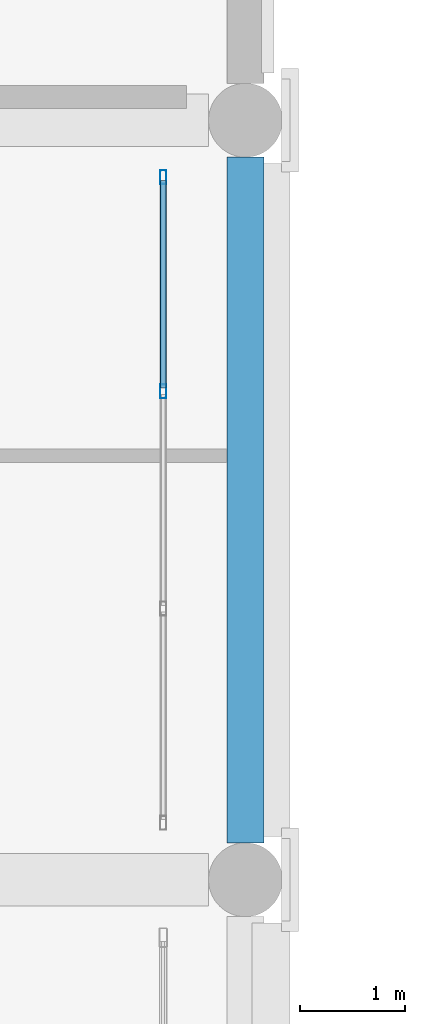
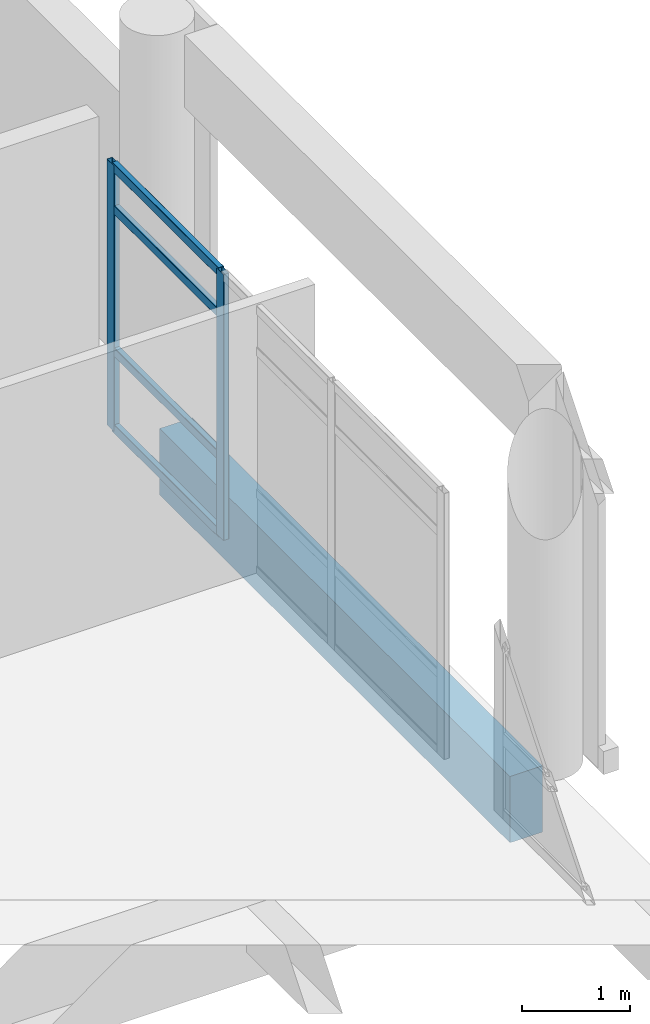
# One storey, part 31 of 180: 6 members, 1 beam, 1 element without a shape of its own.
"""IFC4 building model written with IfcOpenShell, lengths in metres."""

from ifc_helpers import new_model, si_unit, direction, frame, origin, origin_2d, place, context, subcontext, project, spatial, rectangle, hollow_rectangle, extrude, material, layer, layer_set, material_profile, profile_set, type_object, element, aggregate, save


model = new_model("IFC4")

# Units and contexts
model_context = context("Model", 3, precision=1e-05, world=origin(), true_north=direction((0.0, 1.0)))
body_context = subcontext(model_context, "Body", "Model", "MODEL_VIEW")
ifc_project = project(units=[si_unit("LENGTHUNIT", "METRE"), si_unit("AREAUNIT", "SQUARE_METRE"), si_unit("VOLUMEUNIT", "CUBIC_METRE"), si_unit("PLANEANGLEUNIT", "RADIAN"), si_unit("MASSUNIT", "GRAM", prefix="KILO")], contexts=[model_context])

# Site, building, storey
site_placement = place(None, origin())
site = spatial("IfcSite", under=ifc_project, at=site_placement, CompositionType="ELEMENT")
building_placement = place(site_placement, origin())
building = spatial("IfcBuilding", under=site, at=building_placement, Name="Asteropetra Specialist Clinic", CompositionType="ELEMENT")
storey_placement = place(building_placement, frame((0.0, 0.0, 4.419921875)))
storey = spatial("IfcBuildingStorey", under=building, at=storey_placement, Name="L01", CompositionType="ELEMENT", Elevation=4.419921875)

# Curtain wall, members
ifc_material_1 = material(Name="Aluminium and low-E glass", Category="aluminium")
ifc_layer = layer(ifc_material_1, 0.179931640625)
ifc_layer_set = layer_set([ifc_layer], Name="Aluminium and low-E glass")
curtain_wall_type = type_object("IfcCurtainWallType", Name="CW-SYS-10", PredefinedType="USERDEFINED", material=ifc_layer_set)
curtain_wall_placement = place(storey_placement, origin())
curtain_wall = element("IfcCurtainWall", 1, at=curtain_wall_placement, inside=storey, type_object=curtain_wall_type, Name="Curtain Wall CW-146", ObjectType="STICK GLAZED COLONNADE", PredefinedType="USERDEFINED")
ifc_material_2 = material(Name="Aluminium 6063-T6", Category="aluminium")
ifc_material_profile_1 = material_profile(ifc_material_2, hollow_rectangle(XDim=0.06005859375, YDim=0.135009765625, WallThickness=0.00341796875, InnerFilletRadius=0.00341796875, OuterFilletRadius=0.007080078125, at=origin_2d()), Name="MUL 135x60x3.5")
ifc_profile_set_1 = profile_set([ifc_material_profile_1], Name="Aluminium 6063-T6")
member_type_1 = type_object("IfcMemberType", Name="CWM-135x60", PredefinedType="MULLION", material=ifc_profile_set_1)
member_1_placement = place(storey_placement, frame((56.820068359375, 16.6298828125, 0.0), z_axis=(0.0, 0.0, 1.0), x_axis=(-1.0, 0.0, 0.0)))
member_1 = element("IfcMember", 2, at=member_1_placement, type_object=member_type_1, Name="CW-146 mullion 3", PredefinedType="MULLION", context=body_context, shape_type="SweptSolid", body=[
    extrude(hollow_rectangle(XDim=0.06005859375, YDim=0.135009765625, WallThickness=0.00341796875, InnerFilletRadius=0.00341796875, OuterFilletRadius=0.007080078125, at=origin_2d()), origin(), (0.0, 0.0, 1.0), 3.010009765625),
])
member_2_placement = place(storey_placement, frame((56.820068359375, 18.659912109375, 0.0), z_axis=(0.0, 0.0, 1.0), x_axis=(-1.0, 0.0, 0.0)))
member_2 = element("IfcMember", 3, at=member_2_placement, type_object=member_type_1, Name="CW-146 mullion 4", PredefinedType="MULLION", context=body_context, shape_type="SweptSolid", body=[
    extrude(hollow_rectangle(XDim=0.06005859375, YDim=0.135009765625, WallThickness=0.00341796875, InnerFilletRadius=0.00341796875, OuterFilletRadius=0.007080078125, at=origin_2d()), origin(), (0.0, 0.0, 1.0), 3.010009765625),
])
ifc_material_3 = material(Name="Aluminium 6063-T6", Category="aluminium")
ifc_material_profile_2 = material_profile(ifc_material_3, hollow_rectangle(XDim=0.06005859375, YDim=0.10009765625, WallThickness=0.00341796875, InnerFilletRadius=0.00341796875, OuterFilletRadius=0.007080078125, at=origin_2d()), Name="TRN 100x60x3.5")
ifc_profile_set_2 = profile_set([ifc_material_profile_2], Name="Aluminium 6063-T6")
member_type_2 = type_object("IfcMemberType", Name="CWT-100x60", PredefinedType="USERDEFINED", material=ifc_profile_set_2)
member_3_placement = place(storey_placement, frame((56.820068359375, 16.659912109375, 0.030029296875), z_axis=(0.0, 1.0, 0.0), x_axis=(-1.0, 0.0, 0.0)))
member_3 = element("IfcMember", 4, at=member_3_placement, type_object=member_type_2, Name="CW-146 transom 3.1", ObjectType="TRANSOM", PredefinedType="USERDEFINED", context=body_context, shape_type="SweptSolid", body=[
    extrude(hollow_rectangle(XDim=0.06005859375, YDim=0.10009765625, WallThickness=0.00341796875, InnerFilletRadius=0.00341796875, OuterFilletRadius=0.007080078125, at=origin_2d()), origin(), (0.0, 0.0, 1.0), 1.969970703125),
])
member_4_placement = place(storey_placement, frame((56.820068359375, 16.659912109375, 0.900146484375), z_axis=(0.0, 1.0, 0.0), x_axis=(-1.0, 0.0, 0.0)))
member_4 = element("IfcMember", 5, at=member_4_placement, type_object=member_type_2, Name="CW-146 transom 3.2", ObjectType="TRANSOM", PredefinedType="USERDEFINED", context=body_context, shape_type="SweptSolid", body=[
    extrude(hollow_rectangle(XDim=0.06005859375, YDim=0.10009765625, WallThickness=0.00341796875, InnerFilletRadius=0.00341796875, OuterFilletRadius=0.007080078125, at=origin_2d()), origin(), (0.0, 0.0, 1.0), 1.969970703125),
])
member_5_placement = place(storey_placement, frame((56.820068359375, 16.659912109375, 2.510009765625), z_axis=(0.0, 1.0, 0.0), x_axis=(-1.0, 0.0, 0.0)))
member_5 = element("IfcMember", 6, at=member_5_placement, type_object=member_type_2, Name="CW-146 transom 3.3", ObjectType="TRANSOM", PredefinedType="USERDEFINED", context=body_context, shape_type="SweptSolid", body=[
    extrude(hollow_rectangle(XDim=0.06005859375, YDim=0.10009765625, WallThickness=0.00341796875, InnerFilletRadius=0.00341796875, OuterFilletRadius=0.007080078125, at=origin_2d()), origin(), (0.0, 0.0, 1.0), 1.969970703125),
])
member_6_placement = place(storey_placement, frame((56.820068359375, 16.659912109375, 2.97998046875), z_axis=(0.0, 1.0, 0.0), x_axis=(-1.0, 0.0, 0.0)))
member_6 = element("IfcMember", 7, at=member_6_placement, type_object=member_type_2, Name="CW-146 transom 3.4", ObjectType="TRANSOM", PredefinedType="USERDEFINED", context=body_context, shape_type="SweptSolid", body=[
    extrude(hollow_rectangle(XDim=0.06005859375, YDim=0.10009765625, WallThickness=0.00341796875, InnerFilletRadius=0.00341796875, OuterFilletRadius=0.007080078125, at=origin_2d()), origin(), (0.0, 0.0, 1.0), 1.969970703125),
])
aggregate(curtain_wall, [member_1, member_2, member_3, member_4, member_5, member_6])

# Beam
ifc_material_4 = material(Name="Concrete C35/45", Category="concrete")
ifc_material_profile_3 = material_profile(ifc_material_4, rectangle(XDim=0.35009765625, YDim=0.75, at=origin_2d()), Name="RCS 350x750")
ifc_profile_set_3 = profile_set([ifc_material_profile_3], Name="Concrete C35/45")
beam_type = type_object("IfcBeamType", Name="SPN-RC350x750", PredefinedType="SPANDREL", material=ifc_profile_set_3)
beam_placement = place(storey_placement, frame((57.60009765625, 12.35009765625, -0.71484375), z_axis=(0.0, 1.0, 0.0), x_axis=(-1.0, 0.0, 0.0)))
element("IfcBeam", 8, at=beam_placement, inside=storey, type_object=beam_type, Name="Beam BSPN01-0289", PredefinedType="SPANDREL", context=body_context, shape_type="SweptSolid", body=[
    extrude(rectangle(XDim=0.35009765625, YDim=0.75, at=origin_2d()), origin(), (0.0, 0.0, 1.0), 6.5),
])

save(model, "model.ifc")
